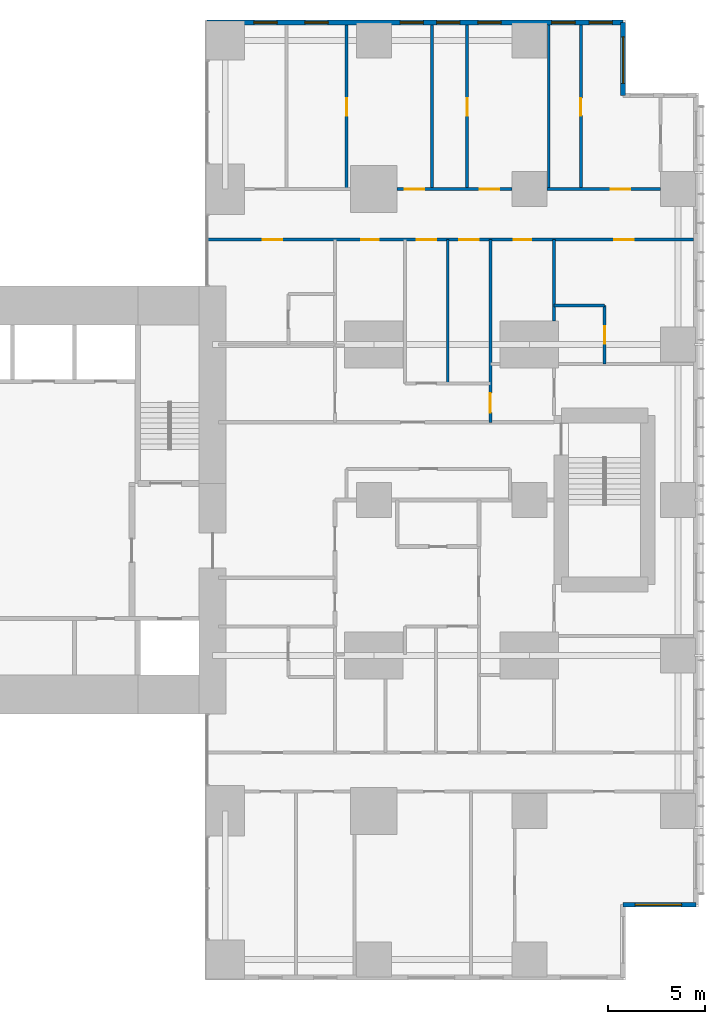
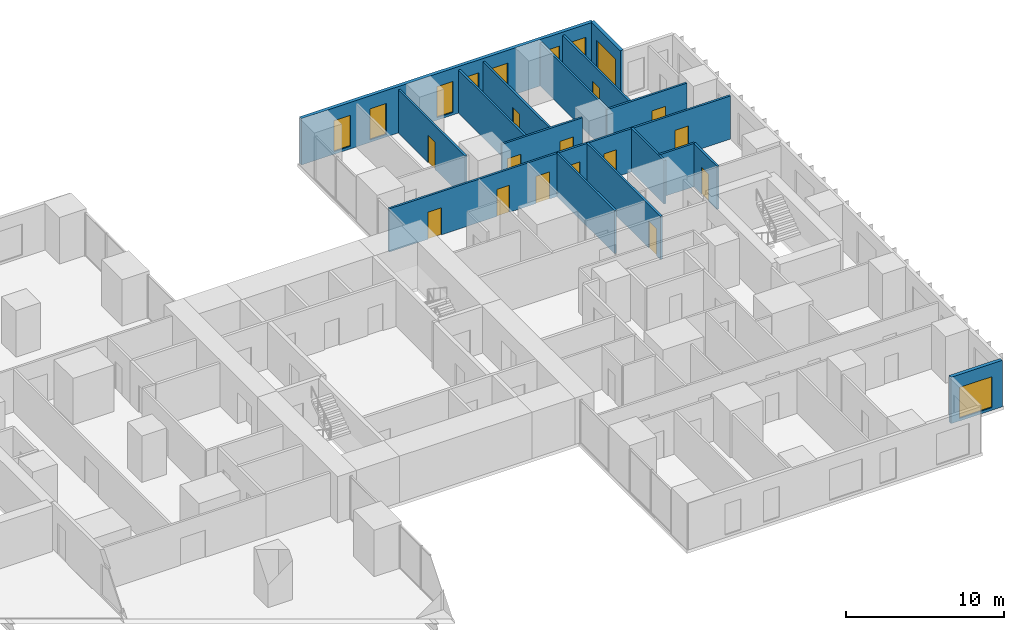
# One storey, part 14 of 16: 16 walls, 14 doors, 9 windows, 23 openings.
"""IFC4 building model written with IfcOpenShell, lengths in metres."""

from ifc_helpers import new_model, si_unit, direction, frame, frame_2d, origin, place, context, subcontext, project, spatial, rectangle, extrude, material, layer, layer_set, type_object, element, fill, save


model = new_model("IFC4")

# Units and contexts
model_context = context("Model", 3, precision=1e-05, world=origin(), true_north=direction((0.0, 1.0)))
body_context = subcontext(model_context, "Body", "Model", "MODEL_VIEW")
ifc_project = project(units=[si_unit("LENGTHUNIT", "METRE"), si_unit("AREAUNIT", "SQUARE_METRE"), si_unit("VOLUMEUNIT", "CUBIC_METRE"), si_unit("PLANEANGLEUNIT", "RADIAN"), si_unit("MASSUNIT", "GRAM", prefix="KILO")], contexts=[model_context])

# Site, building, storey
site_placement = place(None, origin())
site = spatial("IfcSite", under=ifc_project, at=site_placement, CompositionType="ELEMENT")
building_placement = place(site_placement, origin())
building = spatial("IfcBuilding", under=site, at=building_placement, Name="Cleftline Residences", CompositionType="ELEMENT")
storey_placement = place(building_placement, frame((0.0, 0.0, 218.199951171875)))
storey = spatial("IfcBuildingStorey", under=building, at=storey_placement, Name="L57", CompositionType="ELEMENT", Elevation=218.199951171875)

# Wall, opening, window
ifc_material_1 = material(Name="Rendered reinforced concrete blockwork", Category="masonry")
ifc_layer_1 = layer(ifc_material_1, 0.25)
ifc_layer_set_1 = layer_set([ifc_layer_1], Name="EXTERNAL WALL 250")
wall_type_1 = type_object("IfcWallType", Name="EXTERNAL WALL 250", PredefinedType="SOLIDWALL", material=ifc_layer_set_1)
wall_1_placement = place(storey_placement, frame((62.824951171875, 3.175048828125, 0.0), z_axis=(0.0, 0.0, 1.0), x_axis=(1.0, 0.0, 0.0)))
wall_1 = element("IfcWall", 1, at=wall_1_placement, inside=storey, type_object=wall_type_1, Name="External wall", PredefinedType="SOLIDWALL", context=body_context, shape_type="SweptSolid", body=[
    extrude(rectangle(XDim=3.75, YDim=0.25, at=frame_2d((1.875, 0.0))), origin(), (0.0, 0.0, 1.0), 3.60009765625),
])
opening_1_placement = place(wall_1_placement, frame((0.612548828125, 0.0, 0.199951171875)))
opening_1 = element("IfcOpeningElement", 2, at=opening_1_placement, cuts=wall_1, Name="Opening W9", PredefinedType="OPENING", context=body_context, shape_type="SweptSolid", body=[
    extrude(rectangle(XDim=2.39990234375, YDim=2.39990234375, at=frame_2d((1.199951171875, 1.199951171875))), frame((0.0, 0.135009765625, 0.0), z_axis=(0.0, -1.0, 0.0), x_axis=(1.0, 0.0, 0.0)), (0.0, 0.0, 1.0), 0.27001953125),
])
ifc_material_2 = material(Name="Aluminium frame, clear double glazing", Category="aluminium")
window_type_1 = type_object("IfcWindowType", Name="WINDOW 2400X2400", PartitioningType="DOUBLE_PANEL_VERTICAL", PredefinedType="WINDOW", material=ifc_material_2)
window_1_placement = place(opening_1_placement, origin())
window_1 = element("IfcWindow", 3, at=window_1_placement, inside=storey, type_object=window_type_1, Name="Window", OverallHeight=2.39990234375, OverallWidth=2.39990234375, PartitioningType="SINGLE_PANEL", PredefinedType="WINDOW", context=body_context, shape_type="SweptSolid", body=[
    extrude(rectangle(XDim=2.39990234375, YDim=2.39990234375, at=frame_2d((1.199951171875, 1.199951171875))), frame((0.0, 0.030029296875, 0.0), z_axis=(0.0, -1.0, 0.0), x_axis=(1.0, 0.0, 0.0)), (0.0, 0.0, 1.0), 0.06005859375),
])
fill(opening_1, window_1)

wall_2_placement = place(storey_placement, frame((62.824951171875, 44.824951171875, 0.0), z_axis=(0.0, 0.0, 1.0), x_axis=(0.0, 1.0, 0.0)))
wall_2 = element("IfcWall", 4, at=wall_2_placement, inside=storey, type_object=wall_type_1, Name="External wall", PredefinedType="SOLIDWALL", context=body_context, shape_type="SweptSolid", body=[
    extrude(rectangle(XDim=3.75, YDim=0.25, at=frame_2d((1.875, 0.0))), origin(), (0.0, 0.0, 1.0), 3.60009765625),
])
opening_2_placement = place(wall_2_placement, frame((0.612548828125, 0.0, 0.199951171875)))
opening_2 = element("IfcOpeningElement", 5, at=opening_2_placement, cuts=wall_2, Name="Opening W9", PredefinedType="OPENING", context=body_context, shape_type="SweptSolid", body=[
    extrude(rectangle(XDim=2.39990234375, YDim=2.39990234375, at=frame_2d((1.199951171875, 1.199951171875))), frame((0.0, 0.135009765625, 0.0), z_axis=(0.0, -1.0, 0.0), x_axis=(1.0, 0.0, 0.0)), (0.0, 0.0, 1.0), 0.27001953125),
])
window_2_placement = place(opening_2_placement, origin())
window_2 = element("IfcWindow", 6, at=window_2_placement, inside=storey, type_object=window_type_1, Name="Window", OverallHeight=2.39990234375, OverallWidth=2.39990234375, PartitioningType="SINGLE_PANEL", PredefinedType="WINDOW", context=body_context, shape_type="SweptSolid", body=[
    extrude(rectangle(XDim=2.39990234375, YDim=2.39990234375, at=frame_2d((1.199951171875, 1.199951171875))), frame((0.0, 0.030029296875, 0.0), z_axis=(0.0, -1.0, 0.0), x_axis=(1.0, 0.0, 0.0)), (0.0, 0.0, 1.0), 0.06005859375),
])
fill(opening_2, window_2)

# Wall, openings, windows
wall_3_placement = place(storey_placement, frame((62.824951171875, 48.574951171875, 0.0), z_axis=(0.0, 0.0, 1.0), x_axis=(-1.0, 0.0, 0.0)))
wall_3 = element("IfcWall", 7, at=wall_3_placement, inside=storey, type_object=wall_type_1, Name="External wall", PredefinedType="SOLIDWALL", context=body_context, shape_type="SweptSolid", body=[
    extrude(rectangle(XDim=21.39990234375, YDim=0.25, at=frame_2d((10.699951171875, 0.0))), origin(), (0.0, 0.0, 1.0), 3.60009765625),
])
opening_3_placement = place(wall_3_placement, frame((0.550048828125, 0.0, 0.199951171875)))
opening_3 = element("IfcOpeningElement", 8, at=opening_3_placement, cuts=wall_3, Name="Opening W13", PredefinedType="OPENING", context=body_context, shape_type="SweptSolid", body=[
    extrude(rectangle(XDim=1.199951171875, YDim=2.39990234375, at=frame_2d((0.60009765625, 1.199951171875))), frame((0.0, 0.135009765625, 0.0), z_axis=(0.0, -1.0, 0.0), x_axis=(1.0, 0.0, 0.0)), (0.0, 0.0, 1.0), 0.27001953125),
])
opening_4_placement = place(wall_3_placement, frame((2.47509765625, 0.0, 0.199951171875)))
opening_4 = element("IfcOpeningElement", 9, at=opening_4_placement, cuts=wall_3, Name="Opening W13", PredefinedType="OPENING", context=body_context, shape_type="SweptSolid", body=[
    extrude(rectangle(XDim=1.199951171875, YDim=2.39990234375, at=frame_2d((0.60009765625, 1.199951171875))), frame((0.0, 0.135009765625, 0.0), z_axis=(0.0, -1.0, 0.0), x_axis=(1.0, 0.0, 0.0)), (0.0, 0.0, 1.0), 0.27001953125),
])
opening_5_placement = place(wall_3_placement, frame((6.27490234375, 0.0, 0.199951171875)))
opening_5 = element("IfcOpeningElement", 10, at=opening_5_placement, cuts=wall_3, Name="Opening W13", PredefinedType="OPENING", context=body_context, shape_type="SweptSolid", body=[
    extrude(rectangle(XDim=1.199951171875, YDim=2.39990234375, at=frame_2d((0.60009765625, 1.199951171875))), frame((0.0, 0.135009765625, 0.0), z_axis=(0.0, -1.0, 0.0), x_axis=(1.0, 0.0, 0.0)), (0.0, 0.0, 1.0), 0.27001953125),
])
opening_6_placement = place(wall_3_placement, frame((8.39990234375, 0.0, 0.199951171875)))
opening_6 = element("IfcOpeningElement", 11, at=opening_6_placement, cuts=wall_3, Name="Opening W13", PredefinedType="OPENING", context=body_context, shape_type="SweptSolid", body=[
    extrude(rectangle(XDim=1.199951171875, YDim=2.39990234375, at=frame_2d((0.60009765625, 1.199951171875))), frame((0.0, 0.135009765625, 0.0), z_axis=(0.0, -1.0, 0.0), x_axis=(1.0, 0.0, 0.0)), (0.0, 0.0, 1.0), 0.27001953125),
])
opening_7_placement = place(wall_3_placement, frame((10.27490234375, 0.0, 0.199951171875)))
opening_7 = element("IfcOpeningElement", 12, at=opening_7_placement, cuts=wall_3, Name="Opening W13", PredefinedType="OPENING", context=body_context, shape_type="SweptSolid", body=[
    extrude(rectangle(XDim=1.199951171875, YDim=2.39990234375, at=frame_2d((0.60009765625, 1.199951171875))), frame((0.0, 0.135009765625, 0.0), z_axis=(0.0, -1.0, 0.0), x_axis=(1.0, 0.0, 0.0)), (0.0, 0.0, 1.0), 0.27001953125),
])
opening_8_placement = place(wall_3_placement, frame((15.175048828125, 0.0, 0.199951171875)))
opening_8 = element("IfcOpeningElement", 13, at=opening_8_placement, cuts=wall_3, Name="Opening W13", PredefinedType="OPENING", context=body_context, shape_type="SweptSolid", body=[
    extrude(rectangle(XDim=1.199951171875, YDim=2.39990234375, at=frame_2d((0.60009765625, 1.199951171875))), frame((0.0, 0.135009765625, 0.0), z_axis=(0.0, -1.0, 0.0), x_axis=(1.0, 0.0, 0.0)), (0.0, 0.0, 1.0), 0.27001953125),
])
opening_9_placement = place(wall_3_placement, frame((17.800048828125, 0.0, 0.199951171875)))
opening_9 = element("IfcOpeningElement", 14, at=opening_9_placement, cuts=wall_3, Name="Opening W13", PredefinedType="OPENING", context=body_context, shape_type="SweptSolid", body=[
    extrude(rectangle(XDim=1.199951171875, YDim=2.39990234375, at=frame_2d((0.60009765625, 1.199951171875))), frame((0.0, 0.135009765625, 0.0), z_axis=(0.0, -1.0, 0.0), x_axis=(1.0, 0.0, 0.0)), (0.0, 0.0, 1.0), 0.27001953125),
])
ifc_material_3 = material(Name="Aluminium frame, clear double glazing", Category="aluminium")
window_type_2 = type_object("IfcWindowType", Name="WINDOW 1200X2400", PartitioningType="DOUBLE_PANEL_VERTICAL", PredefinedType="WINDOW", material=ifc_material_3)
window_3_placement = place(opening_3_placement, origin())
window_3 = element("IfcWindow", 15, at=window_3_placement, inside=storey, type_object=window_type_2, Name="Window", OverallHeight=2.39990234375, OverallWidth=1.199951171875, PartitioningType="SINGLE_PANEL", PredefinedType="WINDOW", context=body_context, shape_type="SweptSolid", body=[
    extrude(rectangle(XDim=1.199951171875, YDim=2.39990234375, at=frame_2d((0.60009765625, 1.199951171875))), frame((0.0, 0.030029296875, 0.0), z_axis=(0.0, -1.0, 0.0), x_axis=(1.0, 0.0, 0.0)), (0.0, 0.0, 1.0), 0.06005859375),
])
fill(opening_3, window_3)
window_4_placement = place(opening_4_placement, origin())
window_4 = element("IfcWindow", 16, at=window_4_placement, inside=storey, type_object=window_type_2, Name="Window", OverallHeight=2.39990234375, OverallWidth=1.199951171875, PartitioningType="SINGLE_PANEL", PredefinedType="WINDOW", context=body_context, shape_type="SweptSolid", body=[
    extrude(rectangle(XDim=1.199951171875, YDim=2.39990234375, at=frame_2d((0.60009765625, 1.199951171875))), frame((0.0, 0.030029296875, 0.0), z_axis=(0.0, -1.0, 0.0), x_axis=(1.0, 0.0, 0.0)), (0.0, 0.0, 1.0), 0.06005859375),
])
fill(opening_4, window_4)
window_5_placement = place(opening_5_placement, origin())
window_5 = element("IfcWindow", 17, at=window_5_placement, inside=storey, type_object=window_type_2, Name="Window", OverallHeight=2.39990234375, OverallWidth=1.199951171875, PartitioningType="SINGLE_PANEL", PredefinedType="WINDOW", context=body_context, shape_type="SweptSolid", body=[
    extrude(rectangle(XDim=1.199951171875, YDim=2.39990234375, at=frame_2d((0.60009765625, 1.199951171875))), frame((0.0, 0.030029296875, 0.0), z_axis=(0.0, -1.0, 0.0), x_axis=(1.0, 0.0, 0.0)), (0.0, 0.0, 1.0), 0.06005859375),
])
fill(opening_5, window_5)
window_6_placement = place(opening_6_placement, origin())
window_6 = element("IfcWindow", 18, at=window_6_placement, inside=storey, type_object=window_type_2, Name="Window", OverallHeight=2.39990234375, OverallWidth=1.199951171875, PartitioningType="SINGLE_PANEL", PredefinedType="WINDOW", context=body_context, shape_type="SweptSolid", body=[
    extrude(rectangle(XDim=1.199951171875, YDim=2.39990234375, at=frame_2d((0.60009765625, 1.199951171875))), frame((0.0, 0.030029296875, 0.0), z_axis=(0.0, -1.0, 0.0), x_axis=(1.0, 0.0, 0.0)), (0.0, 0.0, 1.0), 0.06005859375),
])
fill(opening_6, window_6)
window_7_placement = place(opening_7_placement, origin())
window_7 = element("IfcWindow", 19, at=window_7_placement, inside=storey, type_object=window_type_2, Name="Window", OverallHeight=2.39990234375, OverallWidth=1.199951171875, PartitioningType="SINGLE_PANEL", PredefinedType="WINDOW", context=body_context, shape_type="SweptSolid", body=[
    extrude(rectangle(XDim=1.199951171875, YDim=2.39990234375, at=frame_2d((0.60009765625, 1.199951171875))), frame((0.0, 0.030029296875, 0.0), z_axis=(0.0, -1.0, 0.0), x_axis=(1.0, 0.0, 0.0)), (0.0, 0.0, 1.0), 0.06005859375),
])
fill(opening_7, window_7)
window_8_placement = place(opening_8_placement, origin())
window_8 = element("IfcWindow", 20, at=window_8_placement, inside=storey, type_object=window_type_2, Name="Window", OverallHeight=2.39990234375, OverallWidth=1.199951171875, PartitioningType="SINGLE_PANEL", PredefinedType="WINDOW", context=body_context, shape_type="SweptSolid", body=[
    extrude(rectangle(XDim=1.199951171875, YDim=2.39990234375, at=frame_2d((0.60009765625, 1.199951171875))), frame((0.0, 0.030029296875, 0.0), z_axis=(0.0, -1.0, 0.0), x_axis=(1.0, 0.0, 0.0)), (0.0, 0.0, 1.0), 0.06005859375),
])
fill(opening_8, window_8)
window_9_placement = place(opening_9_placement, origin())
window_9 = element("IfcWindow", 21, at=window_9_placement, inside=storey, type_object=window_type_2, Name="Window", OverallHeight=2.39990234375, OverallWidth=1.199951171875, PartitioningType="SINGLE_PANEL", PredefinedType="WINDOW", context=body_context, shape_type="SweptSolid", body=[
    extrude(rectangle(XDim=1.199951171875, YDim=2.39990234375, at=frame_2d((0.60009765625, 1.199951171875))), frame((0.0, 0.030029296875, 0.0), z_axis=(0.0, -1.0, 0.0), x_axis=(1.0, 0.0, 0.0)), (0.0, 0.0, 1.0), 0.06005859375),
])
fill(opening_9, window_9)

# Wall
ifc_material_4 = material(Name="Gypsum board on steel studs", Category="steel")
ifc_layer_2 = layer(ifc_material_4, 0.14990234375)
ifc_layer_set_2 = layer_set([ifc_layer_2], Name="PARTITION 150")
wall_type_2 = type_object("IfcWallType", Name="PARTITION 150", PredefinedType="PARTITIONING", material=ifc_layer_set_2)
wall_4_placement = place(storey_placement, frame((59.27490234375, 34.0, 0.0), z_axis=(0.0, 0.0, 1.0), x_axis=(1.0, 0.0, 0.0)))
element("IfcWall", 22, at=wall_4_placement, inside=storey, type_object=wall_type_2, Name="Partition", PredefinedType="PARTITIONING", context=body_context, shape_type="SweptSolid", body=[
    extrude(rectangle(XDim=2.60009765625, YDim=0.14990234375, at=frame_2d((1.300048828125, 0.0))), origin(), (0.0, 0.0, 1.0), 3.35009765625),
])

# Wall, openings, doors
wall_5_placement = place(storey_placement, frame((41.43896484375, 37.39990234375, 0.0), z_axis=(0.0, 0.0, 1.0), x_axis=(1.0, 0.0, 0.0)))
wall_5 = element("IfcWall", 23, at=wall_5_placement, inside=storey, type_object=wall_type_2, Name="Partition", PredefinedType="PARTITIONING", context=body_context, shape_type="SweptSolid", body=[
    extrude(rectangle(XDim=25.010986328125, YDim=0.14990234375, at=frame_2d((12.50537109375, 0.0))), origin(), (0.0, 0.0, 1.0), 3.35009765625),
])
opening_10_placement = place(wall_5_placement, frame((10.760986328125, 0.0, 0.0)))
opening_10 = element("IfcOpeningElement", 24, at=opening_10_placement, cuts=wall_5, Name="Opening D2", PredefinedType="OPENING", context=body_context, shape_type="SweptSolid", body=[
    extrude(rectangle(XDim=1.0, YDim=2.10009765625, at=frame_2d((0.5, 1.050048828125))), frame((0.0, 0.0849609375, 0.0), z_axis=(0.0, -1.0, 0.0), x_axis=(1.0, 0.0, 0.0)), (0.0, 0.0, 1.0), 0.169921875),
])
opening_11_placement = place(wall_5_placement, frame((20.923583984375, 0.0, 0.0)))
opening_11 = element("IfcOpeningElement", 25, at=opening_11_placement, cuts=wall_5, Name="Opening D2", PredefinedType="OPENING", context=body_context, shape_type="SweptSolid", body=[
    extrude(rectangle(XDim=1.0, YDim=2.10009765625, at=frame_2d((0.5, 1.050048828125))), frame((0.0, 0.0849609375, 0.0), z_axis=(0.0, -1.0, 0.0), x_axis=(1.0, 0.0, 0.0)), (0.0, 0.0, 1.0), 0.169921875),
])
opening_12_placement = place(wall_5_placement, frame((15.74853515625, 0.0, 0.0)))
opening_12 = element("IfcOpeningElement", 26, at=opening_12_placement, cuts=wall_5, Name="Opening D1", PredefinedType="OPENING", context=body_context, shape_type="SweptSolid", body=[
    extrude(rectangle(XDim=0.89990234375, YDim=2.10009765625, at=frame_2d((0.449951171875, 1.050048828125))), frame((0.0, 0.0849609375, 0.0), z_axis=(0.0, -1.0, 0.0), x_axis=(1.0, 0.0, 0.0)), (0.0, 0.0, 1.0), 0.169921875),
])
opening_13_placement = place(wall_5_placement, frame((12.9609375, 0.0, 0.0)))
opening_13 = element("IfcOpeningElement", 27, at=opening_13_placement, cuts=wall_5, Name="Opening D2", PredefinedType="OPENING", context=body_context, shape_type="SweptSolid", body=[
    extrude(rectangle(XDim=1.0, YDim=2.10009765625, at=frame_2d((0.5, 1.050048828125))), frame((0.0, 0.0849609375, 0.0), z_axis=(0.0, -1.0, 0.0), x_axis=(1.0, 0.0, 0.0)), (0.0, 0.0, 1.0), 0.169921875),
])
opening_14_placement = place(wall_5_placement, frame((7.910888671875, 0.0, 0.0)))
opening_14 = element("IfcOpeningElement", 28, at=opening_14_placement, cuts=wall_5, Name="Opening D1", PredefinedType="OPENING", context=body_context, shape_type="SweptSolid", body=[
    extrude(rectangle(XDim=0.89990234375, YDim=2.10009765625, at=frame_2d((0.449951171875, 1.050048828125))), frame((0.0, 0.0849609375, 0.0), z_axis=(0.0, -1.0, 0.0), x_axis=(1.0, 0.0, 0.0)), (0.0, 0.0, 1.0), 0.169921875),
])
opening_15_placement = place(wall_5_placement, frame((2.8359375, 0.0, 0.0)))
opening_15 = element("IfcOpeningElement", 29, at=opening_15_placement, cuts=wall_5, Name="Opening D2", PredefinedType="OPENING", context=body_context, shape_type="SweptSolid", body=[
    extrude(rectangle(XDim=1.0, YDim=2.10009765625, at=frame_2d((0.5, 1.050048828125))), frame((0.0, 0.0849609375, 0.0), z_axis=(0.0, -1.0, 0.0), x_axis=(1.0, 0.0, 0.0)), (0.0, 0.0, 1.0), 0.169921875),
])
ifc_material_5 = material(Name="Timber veneer on solid core", Category="wood")
door_type_1 = type_object("IfcDoorType", Name="DOOR 1000X2100", OperationType="SINGLE_SWING_LEFT", PredefinedType="DOOR", material=ifc_material_5)
door_1_placement = place(opening_10_placement, origin())
door_1 = element("IfcDoor", 30, at=door_1_placement, inside=storey, type_object=door_type_1, Name="Door to residence hall", OperationType="SINGLE_SWING_RIGHT", OverallHeight=2.10009765625, OverallWidth=1.0, PredefinedType="DOOR", context=body_context, shape_type="SweptSolid", body=[
    extrude(rectangle(XDim=1.0, YDim=2.10009765625, at=frame_2d((0.5, 1.050048828125))), frame((0.0, 0.02490234375, 0.0), z_axis=(0.0, -1.0, 0.0), x_axis=(1.0, 0.0, 0.0)), (0.0, 0.0, 1.0), 0.050048828125),
])
fill(opening_10, door_1)
door_2_placement = place(opening_11_placement, origin())
door_2 = element("IfcDoor", 31, at=door_2_placement, inside=storey, type_object=door_type_1, Name="Door to master bedroom", OperationType="SINGLE_SWING_LEFT", OverallHeight=2.10009765625, OverallWidth=1.0, PredefinedType="DOOR", context=body_context, shape_type="SweptSolid", body=[
    extrude(rectangle(XDim=1.0, YDim=2.10009765625, at=frame_2d((0.5, 1.050048828125))), frame((0.0, 0.02490234375, 0.0), z_axis=(0.0, -1.0, 0.0), x_axis=(1.0, 0.0, 0.0)), (0.0, 0.0, 1.0), 0.050048828125),
])
fill(opening_11, door_2)
door_3_placement = place(opening_13_placement, origin())
door_3 = element("IfcDoor", 32, at=door_3_placement, inside=storey, type_object=door_type_1, Name="Door to media room", OperationType="SINGLE_SWING_LEFT", OverallHeight=2.10009765625, OverallWidth=1.0, PredefinedType="DOOR", context=body_context, shape_type="SweptSolid", body=[
    extrude(rectangle(XDim=1.0, YDim=2.10009765625, at=frame_2d((0.5, 1.050048828125))), frame((0.0, 0.02490234375, 0.0), z_axis=(0.0, -1.0, 0.0), x_axis=(1.0, 0.0, 0.0)), (0.0, 0.0, 1.0), 0.050048828125),
])
fill(opening_13, door_3)
door_4_placement = place(opening_15_placement, origin())
door_4 = element("IfcDoor", 33, at=door_4_placement, inside=storey, type_object=door_type_1, Name="Door to bedroom 5", OperationType="SINGLE_SWING_RIGHT", OverallHeight=2.10009765625, OverallWidth=1.0, PredefinedType="DOOR", context=body_context, shape_type="SweptSolid", body=[
    extrude(rectangle(XDim=1.0, YDim=2.10009765625, at=frame_2d((0.5, 1.050048828125))), frame((0.0, 0.02490234375, 0.0), z_axis=(0.0, -1.0, 0.0), x_axis=(1.0, 0.0, 0.0)), (0.0, 0.0, 1.0), 0.050048828125),
])
fill(opening_15, door_4)
ifc_material_6 = material(Name="Timber veneer on solid core", Category="wood")
door_type_2 = type_object("IfcDoorType", Name="DOOR 900X2100", OperationType="SINGLE_SWING_LEFT", PredefinedType="DOOR", material=ifc_material_6)
door_5_placement = place(opening_12_placement, origin())
door_5 = element("IfcDoor", 34, at=door_5_placement, inside=storey, type_object=door_type_2, Name="Door to bedroom 2 bathroom", OperationType="SINGLE_SWING_LEFT", OverallHeight=2.10009765625, OverallWidth=0.89990234375, PredefinedType="DOOR", context=body_context, shape_type="SweptSolid", body=[
    extrude(rectangle(XDim=0.89990234375, YDim=2.10009765625, at=frame_2d((0.449951171875, 1.050048828125))), frame((0.0, 0.02490234375, 0.0), z_axis=(0.0, -1.0, 0.0), x_axis=(1.0, 0.0, 0.0)), (0.0, 0.0, 1.0), 0.050048828125),
])
fill(opening_12, door_5)
door_6_placement = place(opening_14_placement, origin())
door_6 = element("IfcDoor", 35, at=door_6_placement, inside=storey, type_object=door_type_2, Name="Door to linen store", OperationType="SINGLE_SWING_RIGHT", OverallHeight=2.10009765625, OverallWidth=0.89990234375, PredefinedType="DOOR", context=body_context, shape_type="SweptSolid", body=[
    extrude(rectangle(XDim=0.89990234375, YDim=2.10009765625, at=frame_2d((0.449951171875, 1.050048828125))), frame((0.0, 0.02490234375, 0.0), z_axis=(0.0, -1.0, 0.0), x_axis=(1.0, 0.0, 0.0)), (0.0, 0.0, 1.0), 0.050048828125),
])
fill(opening_14, door_6)

wall_6_placement = place(storey_placement, frame((51.199951171875, 40.0, 0.0), z_axis=(0.0, 0.0, 1.0), x_axis=(1.0, 0.0, 0.0)))
wall_6 = element("IfcWall", 36, at=wall_6_placement, inside=storey, type_object=wall_type_2, Name="Partition", PredefinedType="PARTITIONING", context=body_context, shape_type="SweptSolid", body=[
    extrude(rectangle(XDim=5.900146484375, YDim=0.14990234375, at=frame_2d((2.9501953125, 0.0))), origin(), (0.0, 0.0, 1.0), 3.35009765625),
])
opening_16_placement = place(wall_6_placement, frame((4.25, 0.0, 0.0)))
opening_16 = element("IfcOpeningElement", 37, at=opening_16_placement, cuts=wall_6, Name="Opening D2", PredefinedType="OPENING", context=body_context, shape_type="SweptSolid", body=[
    extrude(rectangle(XDim=1.0, YDim=2.10009765625, at=frame_2d((0.5, 1.050048828125))), frame((0.0, 0.0849609375, 0.0), z_axis=(0.0, -1.0, 0.0), x_axis=(1.0, 0.0, 0.0)), (0.0, 0.0, 1.0), 0.169921875),
])
opening_17_placement = place(wall_6_placement, frame((0.39990234375, 0.0, 0.0)))
opening_17 = element("IfcOpeningElement", 38, at=opening_17_placement, cuts=wall_6, Name="Opening D2", PredefinedType="OPENING", context=body_context, shape_type="SweptSolid", body=[
    extrude(rectangle(XDim=1.0, YDim=2.10009765625, at=frame_2d((0.5, 1.050048828125))), frame((0.0, 0.0849609375, 0.0), z_axis=(0.0, -1.0, 0.0), x_axis=(1.0, 0.0, 0.0)), (0.0, 0.0, 1.0), 0.169921875),
])
door_7_placement = place(opening_16_placement, origin())
door_7 = element("IfcDoor", 39, at=door_7_placement, inside=storey, type_object=door_type_1, Name="Door to bedroom 3", OperationType="SINGLE_SWING_LEFT", OverallHeight=2.10009765625, OverallWidth=1.0, PredefinedType="DOOR", context=body_context, shape_type="SweptSolid", body=[
    extrude(rectangle(XDim=1.0, YDim=2.10009765625, at=frame_2d((0.5, 1.050048828125))), frame((0.0, 0.02490234375, 0.0), z_axis=(0.0, -1.0, 0.0), x_axis=(1.0, 0.0, 0.0)), (0.0, 0.0, 1.0), 0.050048828125),
])
fill(opening_16, door_7)
door_8_placement = place(opening_17_placement, origin())
door_8 = element("IfcDoor", 40, at=door_8_placement, inside=storey, type_object=door_type_1, Name="Door to bedroom 4", OperationType="SINGLE_SWING_RIGHT", OverallHeight=2.10009765625, OverallWidth=1.0, PredefinedType="DOOR", context=body_context, shape_type="SweptSolid", body=[
    extrude(rectangle(XDim=1.0, YDim=2.10009765625, at=frame_2d((0.5, 1.050048828125))), frame((0.0, 0.02490234375, 0.0), z_axis=(0.0, -1.0, 0.0), x_axis=(1.0, 0.0, 0.0)), (0.0, 0.0, 1.0), 0.050048828125),
])
fill(opening_17, door_8)

# Wall, opening, door
wall_7_placement = place(storey_placement, frame((58.89990234375, 40.0, 0.0), z_axis=(0.0, 0.0, 1.0), x_axis=(1.0, 0.0, 0.0)))
wall_7 = element("IfcWall", 41, at=wall_7_placement, inside=storey, type_object=wall_type_2, Name="Partition", PredefinedType="PARTITIONING", context=body_context, shape_type="SweptSolid", body=[
    extrude(rectangle(XDim=5.85009765625, YDim=0.14990234375, at=frame_2d((2.925048828125, 0.0))), origin(), (0.0, 0.0, 1.0), 3.35009765625),
])
opening_18_placement = place(wall_7_placement, frame((3.300048828125, 0.0, 0.0)))
opening_18 = element("IfcOpeningElement", 42, at=opening_18_placement, cuts=wall_7, Name="Opening D2", PredefinedType="OPENING", context=body_context, shape_type="SweptSolid", body=[
    extrude(rectangle(XDim=1.0, YDim=2.10009765625, at=frame_2d((0.5, 1.050048828125))), frame((0.0, 0.0849609375, 0.0), z_axis=(0.0, -1.0, 0.0), x_axis=(1.0, 0.0, 0.0)), (0.0, 0.0, 1.0), 0.169921875),
])
door_9_placement = place(opening_18_placement, origin())
door_9 = element("IfcDoor", 43, at=door_9_placement, inside=storey, type_object=door_type_1, Name="Door to bedroom 2", OperationType="SINGLE_SWING_LEFT", OverallHeight=2.10009765625, OverallWidth=1.0, PredefinedType="DOOR", context=body_context, shape_type="SweptSolid", body=[
    extrude(rectangle(XDim=1.0, YDim=2.10009765625, at=frame_2d((0.5, 1.050048828125))), frame((0.0, 0.02490234375, 0.0), z_axis=(0.0, -1.0, 0.0), x_axis=(1.0, 0.0, 0.0)), (0.0, 0.0, 1.0), 0.050048828125),
])
fill(opening_18, door_9)

wall_8_placement = place(storey_placement, frame((48.60009765625, 40.0, 0.0), z_axis=(0.0, 0.0, 1.0), x_axis=(0.0, 1.0, 0.0)))
wall_8 = element("IfcWall", 44, at=wall_8_placement, inside=storey, type_object=wall_type_2, Name="Partition", PredefinedType="PARTITIONING", context=body_context, shape_type="SweptSolid", body=[
    extrude(rectangle(XDim=8.449951171875, YDim=0.14990234375, at=frame_2d((4.22509765625, 0.0))), origin(), (0.0, 0.0, 1.0), 3.35009765625),
])
opening_19_placement = place(wall_8_placement, frame((3.77490234375, 0.0, 0.0)))
opening_19 = element("IfcOpeningElement", 45, at=opening_19_placement, cuts=wall_8, Name="Opening D1", PredefinedType="OPENING", context=body_context, shape_type="SweptSolid", body=[
    extrude(rectangle(XDim=0.89990234375, YDim=2.10009765625, at=frame_2d((0.449951171875, 1.050048828125))), frame((0.0, 0.0849609375, 0.0), z_axis=(0.0, -1.0, 0.0), x_axis=(1.0, 0.0, 0.0)), (0.0, 0.0, 1.0), 0.169921875),
])
door_10_placement = place(opening_19_placement, origin())
door_10 = element("IfcDoor", 46, at=door_10_placement, inside=storey, type_object=door_type_2, Name="Door to en-suite bathroom 4", OperationType="SINGLE_SWING_LEFT", OverallHeight=2.10009765625, OverallWidth=0.89990234375, PredefinedType="DOOR", context=body_context, shape_type="SweptSolid", body=[
    extrude(rectangle(XDim=0.89990234375, YDim=2.10009765625, at=frame_2d((0.449951171875, 1.050048828125))), frame((0.0, 0.02490234375, 0.0), z_axis=(0.0, -1.0, 0.0), x_axis=(1.0, 0.0, 0.0)), (0.0, 0.0, 1.0), 0.050048828125),
])
fill(opening_19, door_10)

# Walls
wall_9_placement = place(storey_placement, frame((53.0, 40.0, 0.0), z_axis=(0.0, 0.0, 1.0), x_axis=(0.0, 1.0, 0.0)))
element("IfcWall", 47, at=wall_9_placement, inside=storey, type_object=wall_type_2, Name="Partition", PredefinedType="PARTITIONING", context=body_context, shape_type="SweptSolid", body=[
    extrude(rectangle(XDim=8.449951171875, YDim=0.14990234375, at=frame_2d((4.22509765625, 0.0))), origin(), (0.0, 0.0, 1.0), 3.35009765625),
])
wall_10_placement = place(storey_placement, frame((53.800048828125, 30.0, 0.0), z_axis=(0.0, 0.0, 1.0), x_axis=(0.0, 1.0, 0.0)))
element("IfcWall", 48, at=wall_10_placement, inside=storey, type_object=wall_type_2, Name="Partition", PredefinedType="PARTITIONING", context=body_context, shape_type="SweptSolid", body=[
    extrude(rectangle(XDim=7.39990234375, YDim=0.14990234375, at=frame_2d((3.699951171875, 0.0))), origin(), (0.0, 0.0, 1.0), 3.35009765625),
])

# Wall, opening, door
wall_11_placement = place(storey_placement, frame((54.800048828125, 40.0, 0.0), z_axis=(0.0, 0.0, 1.0), x_axis=(0.0, 1.0, 0.0)))
wall_11 = element("IfcWall", 49, at=wall_11_placement, inside=storey, type_object=wall_type_2, Name="Partition", PredefinedType="PARTITIONING", context=body_context, shape_type="SweptSolid", body=[
    extrude(rectangle(XDim=8.449951171875, YDim=0.14990234375, at=frame_2d((4.22509765625, 0.0))), origin(), (0.0, 0.0, 1.0), 3.35009765625),
])
opening_20_placement = place(wall_11_placement, frame((3.77490234375, 0.0, 0.0)))
opening_20 = element("IfcOpeningElement", 50, at=opening_20_placement, cuts=wall_11, Name="Opening D1", PredefinedType="OPENING", context=body_context, shape_type="SweptSolid", body=[
    extrude(rectangle(XDim=0.89990234375, YDim=2.10009765625, at=frame_2d((0.449951171875, 1.050048828125))), frame((0.0, 0.0849609375, 0.0), z_axis=(0.0, -1.0, 0.0), x_axis=(1.0, 0.0, 0.0)), (0.0, 0.0, 1.0), 0.169921875),
])
door_11_placement = place(opening_20_placement, origin())
door_11 = element("IfcDoor", 51, at=door_11_placement, inside=storey, type_object=door_type_2, Name="Door to en-suite bathroom 3", OperationType="SINGLE_SWING_LEFT", OverallHeight=2.10009765625, OverallWidth=0.89990234375, PredefinedType="DOOR", context=body_context, shape_type="SweptSolid", body=[
    extrude(rectangle(XDim=0.89990234375, YDim=2.10009765625, at=frame_2d((0.449951171875, 1.050048828125))), frame((0.0, 0.02490234375, 0.0), z_axis=(0.0, -1.0, 0.0), x_axis=(1.0, 0.0, 0.0)), (0.0, 0.0, 1.0), 0.050048828125),
])
fill(opening_20, door_11)

wall_12_placement = place(storey_placement, frame((56.0, 28.0, 0.0), z_axis=(0.0, 0.0, 1.0), x_axis=(0.0, 1.0, 0.0)))
wall_12 = element("IfcWall", 52, at=wall_12_placement, inside=storey, type_object=wall_type_2, Name="Partition", PredefinedType="PARTITIONING", context=body_context, shape_type="SweptSolid", body=[
    extrude(rectangle(XDim=9.39990234375, YDim=0.14990234375, at=frame_2d((4.699951171875, 0.0))), origin(), (0.0, 0.0, 1.0), 3.35009765625),
])
opening_21_placement = place(wall_12_placement, frame((0.5, 0.0, 0.0)))
opening_21 = element("IfcOpeningElement", 53, at=opening_21_placement, cuts=wall_12, Name="Opening D2F30", PredefinedType="OPENING", context=body_context, shape_type="SweptSolid", body=[
    extrude(rectangle(XDim=1.0, YDim=2.10009765625, at=frame_2d((0.5, 1.050048828125))), frame((0.0, 0.0849609375, 0.0), z_axis=(0.0, -1.0, 0.0), x_axis=(1.0, 0.0, 0.0)), (0.0, 0.0, 1.0), 0.169921875),
])
ifc_material_7 = material(Name="Timber veneer on solid core", Category="wood")
door_type_3 = type_object("IfcDoorType", Name="DOOR 1000X2100 EI 30", OperationType="SINGLE_SWING_LEFT", PredefinedType="DOOR", material=ifc_material_7)
door_12_placement = place(opening_21_placement, origin())
door_12 = element("IfcDoor", 54, at=door_12_placement, inside=storey, type_object=door_type_3, Name="Door to residence lobby (service)", OperationType="SINGLE_SWING_RIGHT", OverallHeight=2.10009765625, OverallWidth=1.0, PredefinedType="DOOR", context=body_context, shape_type="SweptSolid", body=[
    extrude(rectangle(XDim=1.0, YDim=2.10009765625, at=frame_2d((0.5, 1.050048828125))), frame((0.0, 0.02490234375, 0.0), z_axis=(0.0, -1.0, 0.0), x_axis=(1.0, 0.0, 0.0)), (0.0, 0.0, 1.0), 0.050048828125),
])
fill(opening_21, door_12)

# Walls
wall_13_placement = place(storey_placement, frame((59.0, 40.0, 0.0), z_axis=(0.0, 0.0, 1.0), x_axis=(0.0, 1.0, 0.0)))
element("IfcWall", 55, at=wall_13_placement, inside=storey, type_object=wall_type_2, Name="Partition", PredefinedType="PARTITIONING", context=body_context, shape_type="SweptSolid", body=[
    extrude(rectangle(XDim=8.449951171875, YDim=0.14990234375, at=frame_2d((4.22509765625, 0.0))), origin(), (0.0, 0.0, 1.0), 3.35009765625),
])
wall_14_placement = place(storey_placement, frame((59.27490234375, 33.199951171875, 0.0), z_axis=(0.0, 0.0, 1.0), x_axis=(0.0, 1.0, 0.0)))
element("IfcWall", 56, at=wall_14_placement, inside=storey, type_object=wall_type_2, Name="Partition", PredefinedType="PARTITIONING", context=body_context, shape_type="SweptSolid", body=[
    extrude(rectangle(XDim=4.199951171875, YDim=0.14990234375, at=frame_2d((2.10009765625, 0.0))), origin(), (0.0, 0.0, 1.0), 3.35009765625),
])

# Wall, opening, door
wall_15_placement = place(storey_placement, frame((60.64990234375, 40.0, 0.0), z_axis=(0.0, 0.0, 1.0), x_axis=(0.0, 1.0, 0.0)))
wall_15 = element("IfcWall", 57, at=wall_15_placement, inside=storey, type_object=wall_type_2, Name="Partition", PredefinedType="PARTITIONING", context=body_context, shape_type="SweptSolid", body=[
    extrude(rectangle(XDim=8.449951171875, YDim=0.14990234375, at=frame_2d((4.22509765625, 0.0))), origin(), (0.0, 0.0, 1.0), 3.35009765625),
])
opening_22_placement = place(wall_15_placement, frame((3.77490234375, 0.0, 0.0)))
opening_22 = element("IfcOpeningElement", 58, at=opening_22_placement, cuts=wall_15, Name="Opening D1", PredefinedType="OPENING", context=body_context, shape_type="SweptSolid", body=[
    extrude(rectangle(XDim=0.89990234375, YDim=2.10009765625, at=frame_2d((0.449951171875, 1.050048828125))), frame((0.0, 0.0849609375, 0.0), z_axis=(0.0, -1.0, 0.0), x_axis=(1.0, 0.0, 0.0)), (0.0, 0.0, 1.0), 0.169921875),
])
door_13_placement = place(opening_22_placement, origin())
door_13 = element("IfcDoor", 59, at=door_13_placement, inside=storey, type_object=door_type_2, Name="Door to walk-in wardrobe", OperationType="SINGLE_SWING_LEFT", OverallHeight=2.10009765625, OverallWidth=0.89990234375, PredefinedType="DOOR", context=body_context, shape_type="SweptSolid", body=[
    extrude(rectangle(XDim=0.89990234375, YDim=2.10009765625, at=frame_2d((0.449951171875, 1.050048828125))), frame((0.0, 0.02490234375, 0.0), z_axis=(0.0, -1.0, 0.0), x_axis=(1.0, 0.0, 0.0)), (0.0, 0.0, 1.0), 0.050048828125),
])
fill(opening_22, door_13)

wall_16_placement = place(storey_placement, frame((61.875, 31.0, 0.0), z_axis=(0.0, 0.0, 1.0), x_axis=(0.0, 1.0, 0.0)))
wall_16 = element("IfcWall", 60, at=wall_16_placement, inside=storey, type_object=wall_type_2, Name="Partition", PredefinedType="PARTITIONING", context=body_context, shape_type="SweptSolid", body=[
    extrude(rectangle(XDim=3.0, YDim=0.14990234375, at=frame_2d((1.5, 0.0))), origin(), (0.0, 0.0, 1.0), 3.35009765625),
])
opening_23_placement = place(wall_16_placement, frame((1.050048828125, 0.0, 0.0)))
opening_23 = element("IfcOpeningElement", 61, at=opening_23_placement, cuts=wall_16, Name="Opening D1", PredefinedType="OPENING", context=body_context, shape_type="SweptSolid", body=[
    extrude(rectangle(XDim=0.89990234375, YDim=2.10009765625, at=frame_2d((0.449951171875, 1.050048828125))), frame((0.0, 0.0849609375, 0.0), z_axis=(0.0, -1.0, 0.0), x_axis=(1.0, 0.0, 0.0)), (0.0, 0.0, 1.0), 0.169921875),
])
door_14_placement = place(opening_23_placement, origin())
door_14 = element("IfcDoor", 62, at=door_14_placement, inside=storey, type_object=door_type_2, Name="Door to master bathroom", OperationType="SINGLE_SWING_LEFT", OverallHeight=2.10009765625, OverallWidth=0.89990234375, PredefinedType="DOOR", context=body_context, shape_type="SweptSolid", body=[
    extrude(rectangle(XDim=0.89990234375, YDim=2.10009765625, at=frame_2d((0.449951171875, 1.050048828125))), frame((0.0, 0.02490234375, 0.0), z_axis=(0.0, -1.0, 0.0), x_axis=(1.0, 0.0, 0.0)), (0.0, 0.0, 1.0), 0.050048828125),
])
fill(opening_23, door_14)

save(model, "model.ifc")
